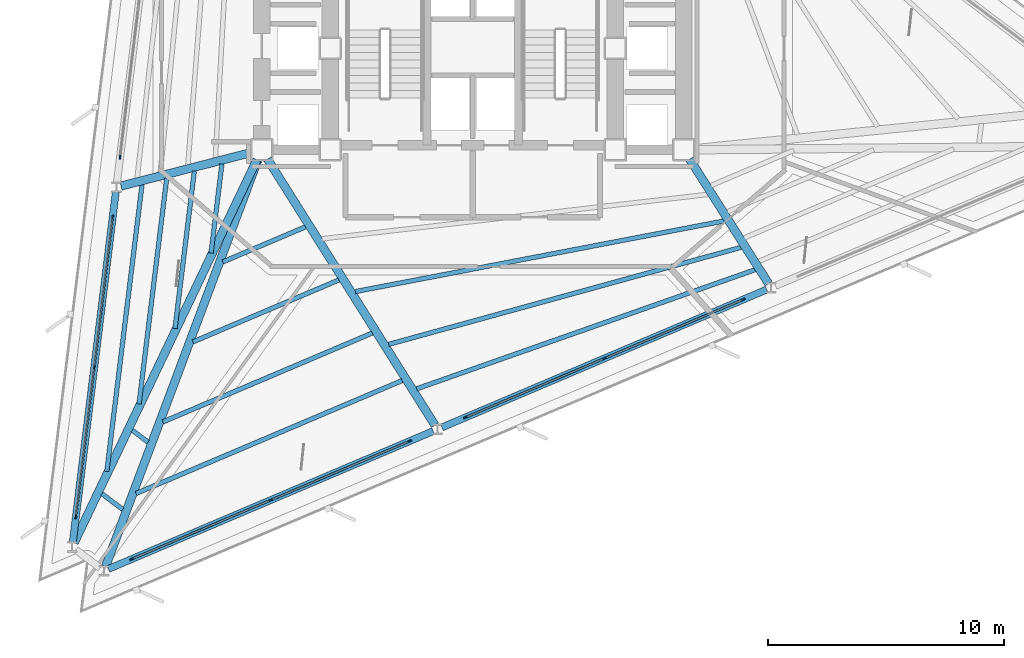
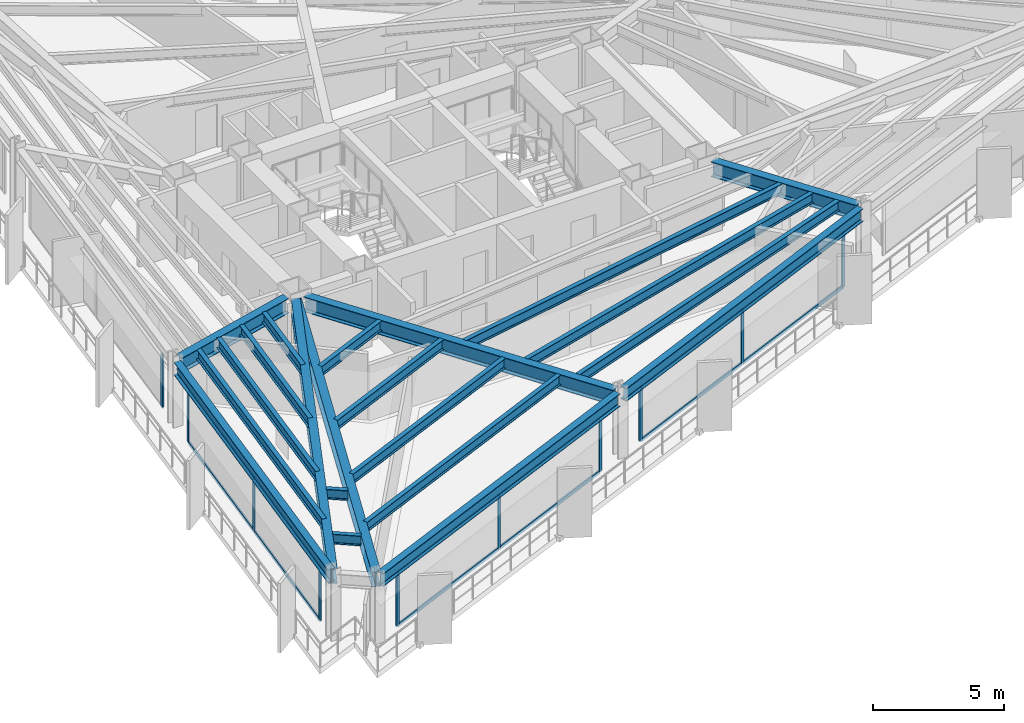
# One storey, part 2 of 13: 22 members, 21 beams, 4 elements without a shape of their own.
"""IFC4 building model written with IfcOpenShell, lengths in metres."""

from ifc_helpers import new_model, si_unit, direction, frame, origin, origin_2d, place, context, subcontext, project, spatial, rectangle, i_section, extrude, material, layer, layer_set, material_profile, profile_set, type_object, element, aggregate, save


model = new_model("IFC4")

# Units and contexts
model_context = context("Model", 3, precision=1e-05, world=origin(), true_north=direction((0.0, 1.0)))
body_context = subcontext(model_context, "Body", "Model", "MODEL_VIEW")
ifc_project = project(units=[si_unit("LENGTHUNIT", "METRE"), si_unit("AREAUNIT", "SQUARE_METRE"), si_unit("VOLUMEUNIT", "CUBIC_METRE"), si_unit("PLANEANGLEUNIT", "RADIAN"), si_unit("MASSUNIT", "GRAM", prefix="KILO")], contexts=[model_context])

# Site, building, storey
site_placement = place(None, origin())
site = spatial("IfcSite", under=ifc_project, at=site_placement, CompositionType="ELEMENT")
building_placement = place(site_placement, origin())
building = spatial("IfcBuilding", under=site, at=building_placement, Name="Rocaltana Carrier Exchange", CompositionType="ELEMENT")
storey_placement = place(building_placement, frame((0.0, 0.0, 69.760009765625)))
storey = spatial("IfcBuildingStorey", under=building, at=storey_placement, Name="L21", CompositionType="ELEMENT", Elevation=69.760009765625)

# Curtain wall, member
ifc_material_1 = material(Name="Aluminium 6063-T6", Category="aluminium")
ifc_layer = layer(ifc_material_1, 0.1650390625)
ifc_layer_set = layer_set([ifc_layer], Name="Aluminium 6063-T6")
curtain_wall_type = type_object("IfcCurtainWallType", Name="Lower-Mid Stepped Curtain Wall CW-02", PredefinedType="NOTDEFINED", material=ifc_layer_set)
curtain_wall_1_placement = place(storey_placement, origin())
curtain_wall_1 = element("IfcCurtainWall", 1, at=curtain_wall_1_placement, inside=storey, type_object=curtain_wall_type, Name="L21 CW-02 Run CW-L21-F2S2", PredefinedType="NOTDEFINED")
ifc_material_2 = material(Name="Aluminium 6063-T6", Category="aluminium")
ifc_material_profile_1 = material_profile(ifc_material_2, rectangle(XDim=0.06494140625, YDim=0.1650390625, at=origin_2d()), Name="AL-65X165")
ifc_profile_set_1 = profile_set([ifc_material_profile_1], Name="Aluminium 6063-T6")
member_type_1 = type_object("IfcMemberType", Name="CW-02 Mullion AL-65X165", PredefinedType="MULLION", material=ifc_profile_set_1)
member_1_placement = place(storey_placement, frame((-14.954345703125, -4.61279296875, 0.0), z_axis=(0.0, 0.0, 1.0), x_axis=(0.992545632614, -0.121873570472, 0.0)))
member_1 = element("IfcMember", 2, at=member_1_placement, type_object=member_type_1, Name="CW-02 mullion 3", PredefinedType="MULLION", context=body_context, shape_type="SweptSolid", body=[
    extrude(rectangle(XDim=0.06494140625, YDim=0.1650390625, at=origin_2d()), origin(), (0.0, 0.0, 1.0), 2.47802734375),
])
aggregate(curtain_wall_1, [member_1])

# Curtain wall, members
curtain_wall_2_placement = place(storey_placement, origin())
curtain_wall_2 = element("IfcCurtainWall", 3, at=curtain_wall_2_placement, inside=storey, type_object=curtain_wall_type, Name="L21 CW-02 Run CW-L21-F2S3", PredefinedType="NOTDEFINED")
member_2_placement = place(storey_placement, frame((-15.266845703125, -7.15869140625, 0.0), z_axis=(0.0, 0.0, 1.0), x_axis=(0.992544692438, -0.121881227076, 0.0)))
member_2 = element("IfcMember", 4, at=member_2_placement, type_object=member_type_1, Name="CW-02 mullion 1", PredefinedType="MULLION", context=body_context, shape_type="SweptSolid", body=[
    extrude(rectangle(XDim=0.06494140625, YDim=0.1650390625, at=origin_2d()), origin(), (0.0, 0.0, 1.0), 2.47802734375),
])
member_3_placement = place(storey_placement, frame((-16.047119140625, -13.51171875, 0.0), z_axis=(0.0, 0.0, 1.0), x_axis=(0.992544692438, -0.121881227076, 0.0)))
member_3 = element("IfcMember", 5, at=member_3_placement, type_object=member_type_1, Name="CW-02 mullion 2", PredefinedType="MULLION", context=body_context, shape_type="SweptSolid", body=[
    extrude(rectangle(XDim=0.06494140625, YDim=0.1650390625, at=origin_2d()), origin(), (0.0, 0.0, 1.0), 2.47802734375),
])
member_4_placement = place(storey_placement, frame((-16.8271484375, -19.86474609375, 0.0), z_axis=(0.0, 0.0, 1.0), x_axis=(0.992544692438, -0.121881227076, 0.0)))
member_4 = element("IfcMember", 6, at=member_4_placement, type_object=member_type_1, Name="CW-02 mullion 3", PredefinedType="MULLION", context=body_context, shape_type="SweptSolid", body=[
    extrude(rectangle(XDim=0.06494140625, YDim=0.1650390625, at=origin_2d()), origin(), (0.0, 0.0, 1.0), 2.47802734375),
])

curtain_wall_3_placement = place(storey_placement, origin())
curtain_wall_3 = element("IfcCurtainWall", 7, at=curtain_wall_3_placement, inside=storey, type_object=curtain_wall_type, Name="L21 CW-02 Run CW-L21-F3S1", PredefinedType="NOTDEFINED")
member_5_placement = place(storey_placement, frame((-14.457275390625, -21.650634765625, 0.0), z_axis=(0.0, 0.0, 1.0), x_axis=(-0.390728673724, 0.920505895435, 0.0)))
member_5 = element("IfcMember", 8, at=member_5_placement, type_object=member_type_1, Name="CW-02 mullion 1", PredefinedType="MULLION", context=body_context, shape_type="SweptSolid", body=[
    extrude(rectangle(XDim=0.06494140625, YDim=0.1650390625, at=origin_2d()), origin(), (0.0, 0.0, 1.0), 2.47802734375),
])
member_6_placement = place(storey_placement, frame((-8.565185546875, -19.149658203125, 0.0), z_axis=(0.0, 0.0, 1.0), x_axis=(-0.390728673724, 0.920505895435, 0.0)))
member_6 = element("IfcMember", 9, at=member_6_placement, type_object=member_type_1, Name="CW-02 mullion 2", PredefinedType="MULLION", context=body_context, shape_type="SweptSolid", body=[
    extrude(rectangle(XDim=0.06494140625, YDim=0.1650390625, at=origin_2d()), origin(), (0.0, 0.0, 1.0), 2.47802734375),
])
member_7_placement = place(storey_placement, frame((-2.673095703125, -16.648681640625, 0.0), z_axis=(0.0, 0.0, 1.0), x_axis=(-0.390728673724, 0.920505895435, 0.0)))
member_7 = element("IfcMember", 10, at=member_7_placement, type_object=member_type_1, Name="CW-02 mullion 3", PredefinedType="MULLION", context=body_context, shape_type="SweptSolid", body=[
    extrude(rectangle(XDim=0.06494140625, YDim=0.1650390625, at=origin_2d()), origin(), (0.0, 0.0, 1.0), 2.47802734375),
])

curtain_wall_4_placement = place(storey_placement, origin())
curtain_wall_4 = element("IfcCurtainWall", 11, at=curtain_wall_4_placement, inside=storey, type_object=curtain_wall_type, Name="L21 CW-02 Run CW-L21-F3S2", PredefinedType="NOTDEFINED")
member_8_placement = place(storey_placement, frame((-0.31201171875, -15.646484375, 0.0), z_axis=(0.0, 0.0, 1.0), x_axis=(-0.390728673724, 0.920505895435, 0.0)))
member_8 = element("IfcMember", 12, at=member_8_placement, type_object=member_type_1, Name="CW-02 mullion 1", PredefinedType="MULLION", context=body_context, shape_type="SweptSolid", body=[
    extrude(rectangle(XDim=0.06494140625, YDim=0.1650390625, at=origin_2d()), origin(), (0.0, 0.0, 1.0), 2.47802734375),
])
member_9_placement = place(storey_placement, frame((5.579833984375, -13.1455078125, 0.0), z_axis=(0.0, 0.0, 1.0), x_axis=(-0.390728673724, 0.920505895435, 0.0)))
member_9 = element("IfcMember", 13, at=member_9_placement, type_object=member_type_1, Name="CW-02 mullion 2", PredefinedType="MULLION", context=body_context, shape_type="SweptSolid", body=[
    extrude(rectangle(XDim=0.06494140625, YDim=0.1650390625, at=origin_2d()), origin(), (0.0, 0.0, 1.0), 2.47802734375),
])
member_10_placement = place(storey_placement, frame((11.471923828125, -10.64453125, 0.0), z_axis=(0.0, 0.0, 1.0), x_axis=(-0.390728673724, 0.920505895435, 0.0)))
member_10 = element("IfcMember", 14, at=member_10_placement, type_object=member_type_1, Name="CW-02 mullion 3", PredefinedType="MULLION", context=body_context, shape_type="SweptSolid", body=[
    extrude(rectangle(XDim=0.06494140625, YDim=0.1650390625, at=origin_2d()), origin(), (0.0, 0.0, 1.0), 2.47802734375),
])

# Member
ifc_material_3 = material(Name="Aluminium 6063-T6", Category="aluminium")
ifc_material_profile_2 = material_profile(ifc_material_3, rectangle(XDim=0.06494140625, YDim=0.1650390625, at=origin_2d()), Name="AL-65X165")
ifc_profile_set_2 = profile_set([ifc_material_profile_2], Name="Aluminium 6063-T6")
member_type_2 = type_object("IfcMemberType", Name="CW-02 Transom AL-65X165", PredefinedType="USERDEFINED", material=ifc_profile_set_2)
member_11_placement = place(storey_placement, frame((-15.270751953125, -7.19091796875, 0.032470703125), z_axis=(-0.121881311797, -0.992544682034, 0.0), x_axis=(0.992544682034, -0.121881311797, 0.0)))
member_11 = element("IfcMember", 15, at=member_11_placement, type_object=member_type_2, Name="CW-02 transom 1.1", ObjectType="TRANSOM", PredefinedType="USERDEFINED", context=body_context, shape_type="SweptSolid", body=[
    extrude(rectangle(XDim=0.06494140625, YDim=0.1650390625, at=origin_2d()), origin(), (0.0, 0.0, 1.0), 6.335693359375),
])

member_12_placement = place(storey_placement, frame((-15.270751953125, -7.19091796875, 2.445556640625), z_axis=(-0.121881311797, -0.992544682034, 0.0), x_axis=(0.992544682034, -0.121881311797, 0.0)))
member_12 = element("IfcMember", 16, at=member_12_placement, type_object=member_type_2, Name="CW-02 transom 1.2", ObjectType="TRANSOM", PredefinedType="USERDEFINED", context=body_context, shape_type="SweptSolid", body=[
    extrude(rectangle(XDim=0.06494140625, YDim=0.1650390625, at=origin_2d()), origin(), (0.0, 0.0, 1.0), 6.335693359375),
])

member_13_placement = place(storey_placement, frame((-16.051025390625, -13.5439453125, 0.032470703125), z_axis=(-0.121881311797, -0.992544682034, 0.0), x_axis=(0.992544682034, -0.121881311797, 0.0)))
member_13 = element("IfcMember", 17, at=member_13_placement, type_object=member_type_2, Name="CW-02 transom 2.1", ObjectType="TRANSOM", PredefinedType="USERDEFINED", context=body_context, shape_type="SweptSolid", body=[
    extrude(rectangle(XDim=0.06494140625, YDim=0.1650390625, at=origin_2d()), origin(), (0.0, 0.0, 1.0), 6.335693359375),
])

member_14_placement = place(storey_placement, frame((-16.051025390625, -13.5439453125, 2.445556640625), z_axis=(-0.121881311797, -0.992544682034, 0.0), x_axis=(0.992544682034, -0.121881311797, 0.0)))
member_14 = element("IfcMember", 18, at=member_14_placement, type_object=member_type_2, Name="CW-02 transom 2.2", ObjectType="TRANSOM", PredefinedType="USERDEFINED", context=body_context, shape_type="SweptSolid", body=[
    extrude(rectangle(XDim=0.06494140625, YDim=0.1650390625, at=origin_2d()), origin(), (0.0, 0.0, 1.0), 6.335693359375),
])

aggregate(curtain_wall_2, [member_2, member_3, member_4, member_11, member_12, member_13, member_14])

member_15_placement = place(storey_placement, frame((-14.42724609375, -21.637939453125, 0.032470703125), z_axis=(0.920508718486, 0.390722022916, 0.0), x_axis=(-0.390722022916, 0.920508718486, 0.0)))
member_15 = element("IfcMember", 19, at=member_15_placement, type_object=member_type_2, Name="CW-02 transom 1.1", ObjectType="TRANSOM", PredefinedType="USERDEFINED", context=body_context, shape_type="SweptSolid", body=[
    extrude(rectangle(XDim=0.06494140625, YDim=0.1650390625, at=origin_2d()), origin(), (0.0, 0.0, 1.0), 6.3359375),
])

member_16_placement = place(storey_placement, frame((-14.42724609375, -21.637939453125, 2.445556640625), z_axis=(0.920508718486, 0.390722022916, 0.0), x_axis=(-0.390722022916, 0.920508718486, 0.0)))
member_16 = element("IfcMember", 20, at=member_16_placement, type_object=member_type_2, Name="CW-02 transom 1.2", ObjectType="TRANSOM", PredefinedType="USERDEFINED", context=body_context, shape_type="SweptSolid", body=[
    extrude(rectangle(XDim=0.06494140625, YDim=0.1650390625, at=origin_2d()), origin(), (0.0, 0.0, 1.0), 6.3359375),
])

member_17_placement = place(storey_placement, frame((-8.53515625, -19.136962890625, 0.032470703125), z_axis=(0.920502835622, 0.390735882167, 0.0), x_axis=(-0.390735882167, 0.920502835622, 0.0)))
member_17 = element("IfcMember", 21, at=member_17_placement, type_object=member_type_2, Name="CW-02 transom 2.1", ObjectType="TRANSOM", PredefinedType="USERDEFINED", context=body_context, shape_type="SweptSolid", body=[
    extrude(rectangle(XDim=0.06494140625, YDim=0.1650390625, at=origin_2d()), origin(), (0.0, 0.0, 1.0), 6.335693359375),
])

member_18_placement = place(storey_placement, frame((-8.53515625, -19.136962890625, 2.445556640625), z_axis=(0.920502835622, 0.390735882167, 0.0), x_axis=(-0.390735882167, 0.920502835622, 0.0)))
member_18 = element("IfcMember", 22, at=member_18_placement, type_object=member_type_2, Name="CW-02 transom 2.2", ObjectType="TRANSOM", PredefinedType="USERDEFINED", context=body_context, shape_type="SweptSolid", body=[
    extrude(rectangle(XDim=0.06494140625, YDim=0.1650390625, at=origin_2d()), origin(), (0.0, 0.0, 1.0), 6.335693359375),
])

aggregate(curtain_wall_3, [member_5, member_6, member_7, member_15, member_16, member_17, member_18])

member_19_placement = place(storey_placement, frame((-0.2822265625, -15.6337890625, 0.032470703125), z_axis=(0.920508718486, 0.390722022916, 0.0), x_axis=(-0.390722022916, 0.920508718486, 0.0)))
member_19 = element("IfcMember", 23, at=member_19_placement, type_object=member_type_2, Name="CW-02 transom 1.1", ObjectType="TRANSOM", PredefinedType="USERDEFINED", context=body_context, shape_type="SweptSolid", body=[
    extrude(rectangle(XDim=0.06494140625, YDim=0.1650390625, at=origin_2d()), origin(), (0.0, 0.0, 1.0), 6.3359375),
])

member_20_placement = place(storey_placement, frame((-0.2822265625, -15.6337890625, 2.445556640625), z_axis=(0.920508718486, 0.390722022916, 0.0), x_axis=(-0.390722022916, 0.920508718486, 0.0)))
member_20 = element("IfcMember", 24, at=member_20_placement, type_object=member_type_2, Name="CW-02 transom 1.2", ObjectType="TRANSOM", PredefinedType="USERDEFINED", context=body_context, shape_type="SweptSolid", body=[
    extrude(rectangle(XDim=0.06494140625, YDim=0.1650390625, at=origin_2d()), origin(), (0.0, 0.0, 1.0), 6.3359375),
])

member_21_placement = place(storey_placement, frame((5.60986328125, -13.1328125, 0.032470703125), z_axis=(0.920508718486, 0.390722022916, 0.0), x_axis=(-0.390722022916, 0.920508718486, 0.0)))
member_21 = element("IfcMember", 25, at=member_21_placement, type_object=member_type_2, Name="CW-02 transom 2.1", ObjectType="TRANSOM", PredefinedType="USERDEFINED", context=body_context, shape_type="SweptSolid", body=[
    extrude(rectangle(XDim=0.06494140625, YDim=0.1650390625, at=origin_2d()), origin(), (0.0, 0.0, 1.0), 6.3359375),
])

member_22_placement = place(storey_placement, frame((5.60986328125, -13.1328125, 2.445556640625), z_axis=(0.920508718486, 0.390722022916, 0.0), x_axis=(-0.390722022916, 0.920508718486, 0.0)))
member_22 = element("IfcMember", 26, at=member_22_placement, type_object=member_type_2, Name="CW-02 transom 2.2", ObjectType="TRANSOM", PredefinedType="USERDEFINED", context=body_context, shape_type="SweptSolid", body=[
    extrude(rectangle(XDim=0.06494140625, YDim=0.1650390625, at=origin_2d()), origin(), (0.0, 0.0, 1.0), 6.3359375),
])

aggregate(curtain_wall_4, [member_8, member_9, member_10, member_19, member_20, member_21, member_22])

# Beams
ifc_material_4 = material(Name="Steel S355", Category="steel")
ifc_material_profile_3 = material_profile(ifc_material_4, i_section(OverallWidth=0.193115234375, OverallDepth=0.466064453125, WebThickness=0.011474609375, FlangeThickness=0.01904296875, FilletRadius=0.013916015625, at=origin_2d()), Name="W18X65")
ifc_profile_set_3 = profile_set([ifc_material_profile_3], Name="Steel S355")
beam_type_1 = type_object("IfcBeamType", Name="Floor Joist W18X65", PredefinedType="JOIST", material=ifc_profile_set_3)
beam_1_placement = place(storey_placement, frame((-10.63427734375, -4.8984375, 2.864990234375), z_axis=(-0.121879106214, -0.99254495287, 0.0), x_axis=(0.99254495287, -0.121879106214, 0.0)))
element("IfcBeam", 27, at=beam_1_placement, inside=storey, type_object=beam_type_1, Name="FJ-L21-07-1", PredefinedType="JOIST", context=body_context, shape_type="SweptSolid", body=[
    extrude(i_section(OverallWidth=0.193115234375, OverallDepth=0.466064453125, WebThickness=0.011474609375, FlangeThickness=0.01904296875, FilletRadius=0.013916015625, at=origin_2d()), origin(), (0.0, 0.0, 1.0), 3.805908203125),
])
beam_2_placement = place(storey_placement, frame((-11.8046875, -5.19970703125, 2.864990234375), z_axis=(-0.121894438401, -0.992543070041, 0.0), x_axis=(0.992543070041, -0.121894438401, 0.0)))
element("IfcBeam", 28, at=beam_2_placement, inside=storey, type_object=beam_type_1, Name="FJ-L21-07-2", PredefinedType="JOIST", context=body_context, shape_type="SweptSolid", body=[
    extrude(i_section(OverallWidth=0.193115234375, OverallDepth=0.466064453125, WebThickness=0.011474609375, FlangeThickness=0.01904296875, FilletRadius=0.013916015625, at=origin_2d()), origin(), (0.0, 0.0, 1.0), 6.7255859375),
])
beam_3_placement = place(storey_placement, frame((-12.975341796875, -5.5009765625, 2.864990234375), z_axis=(-0.121878614676, -0.992545013228, 0.0), x_axis=(0.992545013228, -0.121878614676, 0.0)))
element("IfcBeam", 29, at=beam_3_placement, inside=storey, type_object=beam_type_1, Name="FJ-L21-07-3", PredefinedType="JOIST", context=body_context, shape_type="SweptSolid", body=[
    extrude(i_section(OverallWidth=0.193115234375, OverallDepth=0.466064453125, WebThickness=0.011474609375, FlangeThickness=0.01904296875, FilletRadius=0.013916015625, at=origin_2d()), origin(), (0.0, 0.0, 1.0), 9.645263671875),
])
beam_4_placement = place(storey_placement, frame((-14.022705078125, -5.7705078125, 2.864990234375), z_axis=(-0.121874778131, -0.992545484326, 0.0), x_axis=(0.992545484326, -0.121874778131, 0.0)))
element("IfcBeam", 30, at=beam_4_placement, inside=storey, type_object=beam_type_1, Name="FJ-L21-07-4", PredefinedType="JOIST", context=body_context, shape_type="SweptSolid", body=[
    extrude(i_section(OverallWidth=0.193115234375, OverallDepth=0.466064453125, WebThickness=0.011474609375, FlangeThickness=0.01904296875, FilletRadius=0.013916015625, at=origin_2d()), origin(), (0.0, 0.0, 1.0), 12.257568359375),
])
beam_5_placement = place(storey_placement, frame((-14.436279296875, -16.189697265625, 2.864990234375), z_axis=(0.798596771992, -0.601866426845, 0.0), x_axis=(0.601866426845, 0.798596771992, 0.0)))
element("IfcBeam", 31, at=beam_5_placement, inside=storey, type_object=beam_type_1, Name="FJ-L21-08-3", PredefinedType="JOIST", context=body_context, shape_type="SweptSolid", body=[
    extrude(i_section(OverallWidth=0.193115234375, OverallDepth=0.466064453125, WebThickness=0.011474609375, FlangeThickness=0.01904296875, FilletRadius=0.013916015625, at=origin_2d()), origin(), (0.0, 0.0, 1.0), 0.83642578125),
])
beam_6_placement = place(storey_placement, frame((-15.7216796875, -18.8837890625, 2.864990234375), z_axis=(0.798673550691, -0.601764538193, 0.0), x_axis=(0.601764538193, 0.798673550691, 0.0)))
element("IfcBeam", 32, at=beam_6_placement, inside=storey, type_object=beam_type_1, Name="FJ-L21-08-4", PredefinedType="JOIST", context=body_context, shape_type="SweptSolid", body=[
    extrude(i_section(OverallWidth=0.193115234375, OverallDepth=0.466064453125, WebThickness=0.011474609375, FlangeThickness=0.01904296875, FilletRadius=0.013916015625, at=origin_2d()), origin(), (0.0, 0.0, 1.0), 1.10595703125),
])
beam_7_placement = place(storey_placement, frame((-10.597900390625, -9.052978515625, 2.864990234375), z_axis=(0.920509781797, 0.390719517834, 0.0), x_axis=(-0.390719517834, 0.920509781797, 0.0)))
element("IfcBeam", 33, at=beam_7_placement, inside=storey, type_object=beam_type_1, Name="FJ-L21-09-1", PredefinedType="JOIST", context=body_context, shape_type="SweptSolid", body=[
    extrude(i_section(OverallWidth=0.193115234375, OverallDepth=0.466064453125, WebThickness=0.011474609375, FlangeThickness=0.01904296875, FilletRadius=0.013916015625, at=origin_2d()), origin(), (0.0, 0.0, 1.0), 3.805908203125),
])
beam_8_placement = place(storey_placement, frame((-11.868408203125, -12.44482421875, 2.864990234375), z_axis=(0.920502665094, 0.390736283898, 0.0), x_axis=(-0.390736283898, 0.920502665094, 0.0)))
element("IfcBeam", 34, at=beam_8_placement, inside=storey, type_object=beam_type_1, Name="FJ-L21-09-2", PredefinedType="JOIST", context=body_context, shape_type="SweptSolid", body=[
    extrude(i_section(OverallWidth=0.193115234375, OverallDepth=0.466064453125, WebThickness=0.011474609375, FlangeThickness=0.01904296875, FilletRadius=0.013916015625, at=origin_2d()), origin(), (0.0, 0.0, 1.0), 6.7255859375),
])
beam_9_placement = place(storey_placement, frame((-13.13916015625, -15.836669921875, 2.864990234375), z_axis=(0.920512824991, 0.390712348188, 0.0), x_axis=(-0.390712348188, 0.920512824991, 0.0)))
element("IfcBeam", 35, at=beam_9_placement, inside=storey, type_object=beam_type_1, Name="FJ-L21-09-3", PredefinedType="JOIST", context=body_context, shape_type="SweptSolid", body=[
    extrude(i_section(OverallWidth=0.193115234375, OverallDepth=0.466064453125, WebThickness=0.011474609375, FlangeThickness=0.01904296875, FilletRadius=0.013916015625, at=origin_2d()), origin(), (0.0, 0.0, 1.0), 9.645263671875),
])
beam_10_placement = place(storey_placement, frame((-14.27587890625, -18.87158203125, 2.864990234375), z_axis=(0.92049843191, 0.39074625635, 0.0), x_axis=(-0.39074625635, 0.92049843191, 0.0)))
element("IfcBeam", 36, at=beam_10_placement, inside=storey, type_object=beam_type_1, Name="FJ-L21-09-4", PredefinedType="JOIST", context=body_context, shape_type="SweptSolid", body=[
    extrude(i_section(OverallWidth=0.193115234375, OverallDepth=0.466064453125, WebThickness=0.011474609375, FlangeThickness=0.01904296875, FilletRadius=0.013916015625, at=origin_2d()), origin(), (0.0, 0.0, 1.0), 12.25732421875),
])
beam_11_placement = place(storey_placement, frame((-4.978271484375, -10.31005859375, 2.864990234375), z_axis=(0.982142482744, 0.188138628647, 0.0), x_axis=(-0.188138628647, 0.982142482744, 0.0)))
element("IfcBeam", 37, at=beam_11_placement, inside=storey, type_object=beam_type_1, Name="FJ-L21-10-2", PredefinedType="JOIST", context=body_context, shape_type="SweptSolid", body=[
    extrude(i_section(OverallWidth=0.193115234375, OverallDepth=0.466064453125, WebThickness=0.011474609375, FlangeThickness=0.01904296875, FilletRadius=0.013916015625, at=origin_2d()), origin(), (0.0, 0.0, 1.0), 15.9326171875),
])
beam_12_placement = place(storey_placement, frame((-3.564453125, -12.5478515625, 2.864990234375), z_axis=(0.964150794225, 0.265354943415, 0.0), x_axis=(-0.265354943415, 0.964150794225, 0.0)))
element("IfcBeam", 38, at=beam_12_placement, inside=storey, type_object=beam_type_1, Name="FJ-L21-10-3", PredefinedType="JOIST", context=body_context, shape_type="SweptSolid", body=[
    extrude(i_section(OverallWidth=0.193115234375, OverallDepth=0.466064453125, WebThickness=0.011474609375, FlangeThickness=0.01904296875, FilletRadius=0.013916015625, at=origin_2d()), origin(), (0.0, 0.0, 1.0), 15.496337890625),
])
beam_13_placement = place(storey_placement, frame((-2.375, -14.431884765625, 2.864990234375), z_axis=(0.943283630241, 0.331987940924, 0.0), x_axis=(-0.331987940924, 0.943283630241, 0.0)))
element("IfcBeam", 39, at=beam_13_placement, inside=storey, type_object=beam_type_1, Name="FJ-L21-10-4", PredefinedType="JOIST", context=body_context, shape_type="SweptSolid", body=[
    extrude(i_section(OverallWidth=0.193115234375, OverallDepth=0.466064453125, WebThickness=0.011474609375, FlangeThickness=0.01904296875, FilletRadius=0.013916015625, at=origin_2d()), origin(), (0.0, 0.0, 1.0), 15.2099609375),
])
ifc_material_5 = material(Name="Steel S355", Category="steel")
ifc_material_profile_4 = material_profile(ifc_material_5, i_section(OverallWidth=0.35498046875, OverallDepth=0.695068359375, WebThickness=0.015380859375, FlangeThickness=0.02490234375, FilletRadius=0.01806640625, at=origin_2d()), Name="W27X146")
ifc_profile_set_4 = profile_set([ifc_material_profile_4], Name="Steel S355")
beam_type_2 = type_object("IfcBeamType", Name="Radial Girder W27X146", PredefinedType="BEAM", material=ifc_profile_set_4)
beam_14_placement = place(storey_placement, frame((-9.40234375, -4.41650390625, 2.75048828125), z_axis=(-0.9684340996, -0.249269722856, 0.0), x_axis=(0.249269722856, -0.9684340996, 0.0)))
element("IfcBeam", 40, at=beam_14_placement, inside=storey, type_object=beam_type_2, Name="RG-L21-07", PredefinedType="BEAM", context=body_context, shape_type="SweptSolid", body=[
    extrude(i_section(OverallWidth=0.35498046875, OverallDepth=0.695068359375, WebThickness=0.015380859375, FlangeThickness=0.02490234375, FilletRadius=0.01806640625, at=origin_2d()), origin(), (0.0, 0.0, 1.0), 5.693359375),
])
beam_15_placement = place(storey_placement, frame((-9.151123046875, -4.721435546875, 2.75048828125), z_axis=(-0.430600446269, -0.902542661414, 0.0), x_axis=(0.902542661414, -0.430600446269, 0.0)))
element("IfcBeam", 41, at=beam_15_placement, inside=storey, type_object=beam_type_2, Name="RG-L21-08", PredefinedType="BEAM", context=body_context, shape_type="SweptSolid", body=[
    extrude(i_section(OverallWidth=0.35498046875, OverallDepth=0.695068359375, WebThickness=0.015380859375, FlangeThickness=0.02490234375, FilletRadius=0.01806640625, at=origin_2d()), origin(), (0.0, 0.0, 1.0), 17.988037109375),
])
beam_16_placement = place(storey_placement, frame((-9.11376953125, -4.7373046875, 2.75048828125), z_axis=(-0.350813625712, -0.936445300065, 0.0), x_axis=(0.936445300065, -0.350813625712, 0.0)))
element("IfcBeam", 42, at=beam_16_placement, inside=storey, type_object=beam_type_2, Name="RG-L21-09", PredefinedType="BEAM", context=body_context, shape_type="SweptSolid", body=[
    extrude(i_section(OverallWidth=0.35498046875, OverallDepth=0.695068359375, WebThickness=0.015380859375, FlangeThickness=0.02490234375, FilletRadius=0.01806640625, at=origin_2d()), origin(), (0.0, 0.0, 1.0), 18.3955078125),
])
beam_17_placement = place(storey_placement, frame((-8.701171875, -4.6953125, 2.75048828125), z_axis=(0.532702520737, -0.846302560791, 0.0), x_axis=(0.846302560791, 0.532702520737, 0.0)))
element("IfcBeam", 43, at=beam_17_placement, inside=storey, type_object=beam_type_2, Name="RG-L21-10", PredefinedType="BEAM", context=body_context, shape_type="SweptSolid", body=[
    extrude(i_section(OverallWidth=0.35498046875, OverallDepth=0.695068359375, WebThickness=0.015380859375, FlangeThickness=0.02490234375, FilletRadius=0.01806640625, at=origin_2d()), origin(), (0.0, 0.0, 1.0), 13.331298828125),
])
beam_18_placement = place(storey_placement, frame((9.199951171875, -4.694580078125, 2.75048828125), z_axis=(0.535231440371, -0.844705454722, 0.0), x_axis=(0.844705454722, 0.535231440371, 0.0)))
element("IfcBeam", 44, at=beam_18_placement, inside=storey, type_object=beam_type_2, Name="RG-L21-11", PredefinedType="BEAM", context=body_context, shape_type="SweptSolid", body=[
    extrude(i_section(OverallWidth=0.35498046875, OverallDepth=0.695068359375, WebThickness=0.015380859375, FlangeThickness=0.02490234375, FilletRadius=0.01806640625, at=origin_2d()), origin(), (0.0, 0.0, 1.0), 6.24951171875),
])
ifc_material_6 = material(Name="Steel S355", Category="steel")
ifc_material_profile_5 = material_profile(ifc_material_6, i_section(OverallWidth=0.300048828125, OverallDepth=0.60009765625, WebThickness=0.015380859375, FlangeThickness=0.030029296875, FilletRadius=0.027099609375, at=origin_2d()), Name="HEB600")
ifc_profile_set_5 = profile_set([ifc_material_profile_5], Name="Steel S355")
beam_type_3 = type_object("IfcBeamType", Name="Spandrel Edge Beam HEB600", PredefinedType="SPANDREL", material=ifc_profile_set_5)
beam_19_placement = place(storey_placement, frame((-15.135009765625, -6.085205078125, 2.798095703125), z_axis=(-0.12188594414, -0.992544113186, 0.0), x_axis=(0.992544113186, -0.12188594414, 0.0)))
element("IfcBeam", 45, at=beam_19_placement, inside=storey, type_object=beam_type_3, Name="SP-L21-07", PredefinedType="SPANDREL", context=body_context, shape_type="SweptSolid", body=[
    extrude(i_section(OverallWidth=0.300048828125, OverallDepth=0.60009765625, WebThickness=0.015380859375, FlangeThickness=0.030029296875, FilletRadius=0.027099609375, at=origin_2d()), origin(), (0.0, 0.0, 1.0), 14.964599609375),
])
for number, where, z_axis, x_axis, name in (
    (46, (-15.45263671875, -22.0732421875, 2.798095703125), (0.920505689933, 0.390729157859, 0.0), (-0.390729157859, 0.920505689933, 0.0), "SP-L21-09"),
    (47, (-1.3076171875, -16.069091796875, 2.798095703125), (0.920505689933, 0.390729157859, 0.0), (-0.390729157859, 0.920505689933, 0.0), "SP-L21-10"),
):
    element("IfcBeam", number, at=place(storey_placement, frame(where, z_axis=z_axis, x_axis=x_axis)), inside=storey, type_object=beam_type_3, Name=name, PredefinedType="SPANDREL", context=body_context, shape_type="SweptSolid", body=[
        extrude(i_section(OverallWidth=0.300048828125, OverallDepth=0.60009765625, WebThickness=0.015380859375, FlangeThickness=0.030029296875, FilletRadius=0.027099609375, at=origin_2d()), origin(), (0.0, 0.0, 1.0), 14.96484375),
    ])

save(model, "model.ifc")
